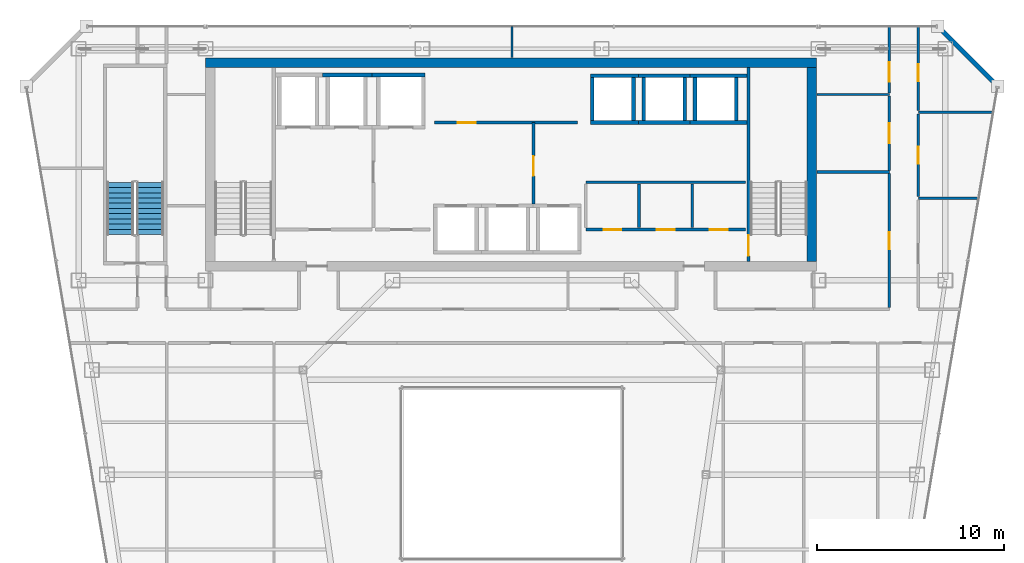
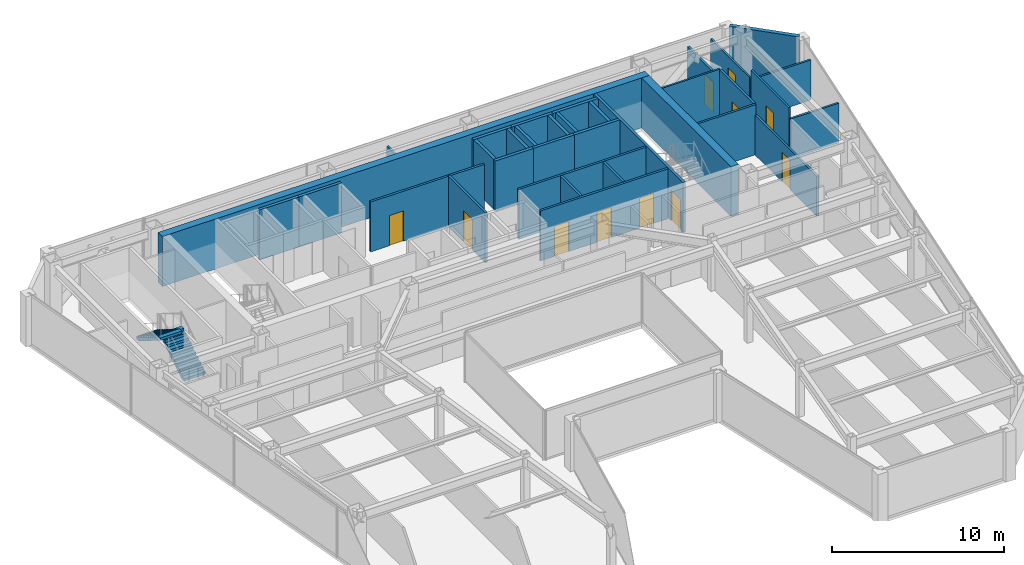
# One storey, part 32 of 36: 34 walls, 11 doors, 2 stair flights, 11 openings, 1 element without a shape of its own.
"""IFC4 building model written with IfcOpenShell, lengths in metres."""

from ifc_helpers import new_model, si_unit, direction, frame, frame_2d, origin, place, context, subcontext, project, spatial, polyline, rectangle, outline, extrude, material, layer, layer_set, type_object, element, fill, aggregate, save


model = new_model("IFC4")

# Units and contexts
model_context = context("Model", 3, precision=1e-05, world=origin(), true_north=direction((0.0, 1.0)))
body_context = subcontext(model_context, "Body", "Model", "MODEL_VIEW")
ifc_project = project(units=[si_unit("LENGTHUNIT", "METRE"), si_unit("AREAUNIT", "SQUARE_METRE"), si_unit("VOLUMEUNIT", "CUBIC_METRE"), si_unit("PLANEANGLEUNIT", "RADIAN"), si_unit("MASSUNIT", "GRAM", prefix="KILO")], contexts=[model_context])

# Site, building, storey
site_placement = place(None, origin())
site = spatial("IfcSite", under=ifc_project, at=site_placement, CompositionType="ELEMENT")
building_placement = place(site_placement, origin())
building = spatial("IfcBuilding", under=site, at=building_placement, Name="Saevonmaru Cultural Tower", CompositionType="ELEMENT")
storey_placement = place(building_placement, frame((0.0, 0.0, 205.60009765625)))
storey = spatial("IfcBuildingStorey", under=building, at=storey_placement, Name="L47", CompositionType="ELEMENT", Elevation=205.60009765625)

# Walls
ifc_material_1 = material(Name="Concrete C60/75", Category="concrete")
ifc_layer_1 = layer(ifc_material_1, 0.5, Name="Concrete C60/75")
ifc_layer_set_1 = layer_set([ifc_layer_1], Name="Concrete C60/75")
wall_type_1 = type_object("IfcWallType", Name="WL-CORE-500", PredefinedType="SHEAR", material=ifc_layer_set_1)
wall_1_placement = place(storey_placement, frame((13.60009765625, 54.050048828125, 0.0), z_axis=(0.0, 0.0, 1.0), x_axis=(1.0, 0.0, 0.0)))
element("IfcWall", 1, at=wall_1_placement, inside=storey, type_object=wall_type_1, Name="L47 Tower RC core shear wall N", PredefinedType="SHEAR", context=body_context, shape_type="SweptSolid", body=[
    extrude(rectangle(XDim=32.699951171875, YDim=0.5, at=frame_2d((16.35009765625, 0.0))), origin(), (0.0, 0.0, 1.0), 3.5498046875),
])
wall_2_placement = place(storey_placement, frame((46.050048828125, 43.39990234375, 0.0), z_axis=(0.0, 0.0, 1.0), x_axis=(0.0, 1.0, 0.0)))
element("IfcWall", 2, at=wall_2_placement, inside=storey, type_object=wall_type_1, Name="L47 Tower RC core shear wall E", PredefinedType="SHEAR", context=body_context, shape_type="SweptSolid", body=[
    extrude(rectangle(XDim=10.400146484375, YDim=0.5, at=frame_2d((5.2001953125, 0.0))), origin(), (0.0, 0.0, 1.0), 3.5498046875),
])

# Wall, opening, door
ifc_material_2 = material(Name="Gypsum Fireboard Partition", Category="gypsum")
ifc_layer_2 = layer(ifc_material_2, 0.14990234375, Name="Gypsum Fireboard Partition")
ifc_layer_set_2 = layer_set([ifc_layer_2], Name="Gypsum Fireboard Partition")
wall_type_2 = type_object("IfcWallType", Name="WL-CORE-PART-150", PredefinedType="PARTITIONING", material=ifc_layer_set_2)
wall_3_placement = place(storey_placement, frame((31.14990234375, 46.5, 0.0), z_axis=(0.0, 0.0, 1.0), x_axis=(0.0, 1.0, 0.0)))
wall_3 = element("IfcWall", 3, at=wall_3_placement, inside=storey, type_object=wall_type_2, Name="L47 Lift Zone Baffle 1", PredefinedType="PARTITIONING", context=body_context, shape_type="SweptSolid", body=[
    extrude(rectangle(XDim=4.35009765625, YDim=0.14990234375, at=frame_2d((2.175048828125, 0.0))), origin(), (0.0, 0.0, 1.0), 3.5498046875),
])
opening_1_placement = place(wall_3_placement, frame((1.5, 0.0, 0.0)))
opening_1 = element("IfcOpeningElement", 4, at=opening_1_placement, cuts=wall_3, Name="Opening ID-1", PredefinedType="OPENING", context=body_context, shape_type="SweptSolid", body=[
    extrude(rectangle(XDim=1.050048828125, YDim=2.14990234375, at=frame_2d((0.52490234375, 1.074951171875))), frame((0.0, 0.0849609375, 0.0), z_axis=(0.0, -1.0, 0.0), x_axis=(1.0, 0.0, 0.0)), (0.0, 0.0, 1.0), 0.169921875),
])
ifc_material_3 = material(Name="Satin Bronze Anodised Aluminium", Category="aluminium")
door_type_1 = type_object("IfcDoorType", Name="DR-INT-1050", OperationType="SINGLE_SWING_LEFT", PredefinedType="DOOR", material=ifc_material_3)
door_1_placement = place(opening_1_placement, origin())
door_1 = element("IfcDoor", 5, at=door_1_placement, inside=storey, type_object=door_type_1, Name="L47 West-Mid Lobby Portal", OperationType="SINGLE_SWING_LEFT", OverallHeight=2.14990234375, OverallWidth=1.050048828125, PredefinedType="DOOR", context=body_context, shape_type="SweptSolid", body=[
    extrude(rectangle(XDim=1.050048828125, YDim=2.14990234375, at=frame_2d((0.52490234375, 1.074951171875))), frame((0.0, 0.02490234375, 0.0), z_axis=(0.0, -1.0, 0.0), x_axis=(1.0, 0.0, 0.0)), (0.0, 0.0, 1.0), 0.050048828125),
])
fill(opening_1, door_1)

# Wall, openings, doors
wall_4_placement = place(storey_placement, frame((33.949951171875, 45.1201171875, 0.0), z_axis=(0.0, 0.0, 1.0), x_axis=(1.0, 0.0, 0.0)))
wall_4 = element("IfcWall", 6, at=wall_4_placement, inside=storey, type_object=wall_type_2, Name="L47 Core Utility South Wall", PredefinedType="PARTITIONING", context=body_context, shape_type="SweptSolid", body=[
    extrude(rectangle(XDim=8.550048828125, YDim=0.14990234375, at=frame_2d((4.27490234375, 0.0))), origin(), (0.0, 0.0, 1.0), 3.5498046875),
])
opening_2_placement = place(wall_4_placement, frame((0.949951171875, 0.0, 0.0)))
opening_2 = element("IfcOpeningElement", 7, at=opening_2_placement, cuts=wall_4, Name="Opening FD-4", PredefinedType="OPENING", context=body_context, shape_type="SweptSolid", body=[
    extrude(rectangle(XDim=0.949951171875, YDim=2.14990234375, at=frame_2d((0.47509765625, 1.074951171875))), frame((0.0, 0.0849609375, 0.0), z_axis=(0.0, -1.0, 0.0), x_axis=(1.0, 0.0, 0.0)), (0.0, 0.0, 1.0), 0.169921875),
])
opening_3_placement = place(wall_4_placement, frame((3.800048828125, 0.0, 0.0)))
opening_3 = element("IfcOpeningElement", 8, at=opening_3_placement, cuts=wall_4, Name="Opening FD-4", PredefinedType="OPENING", context=body_context, shape_type="SweptSolid", body=[
    extrude(rectangle(XDim=0.949951171875, YDim=2.14990234375, at=frame_2d((0.47509765625, 1.074951171875))), frame((0.0, 0.0849609375, 0.0), z_axis=(0.0, -1.0, 0.0), x_axis=(1.0, 0.0, 0.0)), (0.0, 0.0, 1.0), 0.169921875),
])
opening_4_placement = place(wall_4_placement, frame((6.64990234375, 0.0, 0.0)))
opening_4 = element("IfcOpeningElement", 9, at=opening_4_placement, cuts=wall_4, Name="Opening FD-4", PredefinedType="OPENING", context=body_context, shape_type="SweptSolid", body=[
    extrude(rectangle(XDim=0.949951171875, YDim=2.14990234375, at=frame_2d((0.47509765625, 1.074951171875))), frame((0.0, 0.0849609375, 0.0), z_axis=(0.0, -1.0, 0.0), x_axis=(1.0, 0.0, 0.0)), (0.0, 0.0, 1.0), 0.169921875),
])
door_type_2 = type_object("IfcDoorType", Name="DR-FD60-950", OperationType="SINGLE_SWING_LEFT", PredefinedType="DOOR", material=ifc_material_3)
door_2_placement = place(opening_2_placement, origin())
door_2 = element("IfcDoor", 10, at=door_2_placement, inside=storey, type_object=door_type_2, Name="L47 Meter Plant Door", OperationType="SINGLE_SWING_LEFT", OverallHeight=2.14990234375, OverallWidth=0.949951171875, PredefinedType="DOOR", context=body_context, shape_type="SweptSolid", body=[
    extrude(rectangle(XDim=0.949951171875, YDim=2.14990234375, at=frame_2d((0.47509765625, 1.074951171875))), frame((0.0, 0.02490234375, 0.0), z_axis=(0.0, -1.0, 0.0), x_axis=(1.0, 0.0, 0.0)), (0.0, 0.0, 1.0), 0.050048828125),
])
fill(opening_2, door_2)
door_3_placement = place(opening_3_placement, origin())
door_3 = element("IfcDoor", 11, at=door_3_placement, inside=storey, type_object=door_type_2, Name="L47 AV Rack Plant Door", OperationType="SINGLE_SWING_LEFT", OverallHeight=2.14990234375, OverallWidth=0.949951171875, PredefinedType="DOOR", context=body_context, shape_type="SweptSolid", body=[
    extrude(rectangle(XDim=0.949951171875, YDim=2.14990234375, at=frame_2d((0.47509765625, 1.074951171875))), frame((0.0, 0.02490234375, 0.0), z_axis=(0.0, -1.0, 0.0), x_axis=(1.0, 0.0, 0.0)), (0.0, 0.0, 1.0), 0.050048828125),
])
fill(opening_3, door_3)
door_4_placement = place(opening_4_placement, origin())
door_4 = element("IfcDoor", 12, at=door_4_placement, inside=storey, type_object=door_type_2, Name="L47 Archive Supply Storage Door", OperationType="SINGLE_SWING_LEFT", OverallHeight=2.14990234375, OverallWidth=0.949951171875, PredefinedType="DOOR", context=body_context, shape_type="SweptSolid", body=[
    extrude(rectangle(XDim=0.949951171875, YDim=2.14990234375, at=frame_2d((0.47509765625, 1.074951171875))), frame((0.0, 0.02490234375, 0.0), z_axis=(0.0, -1.0, 0.0), x_axis=(1.0, 0.0, 0.0)), (0.0, 0.0, 1.0), 0.050048828125),
])
fill(opening_4, door_4)

# Walls
wall_5_placement = place(storey_placement, frame((33.949951171875, 47.64990234375, 0.0), z_axis=(0.0, 0.0, 1.0), x_axis=(1.0, 0.0, 0.0)))
element("IfcWall", 13, at=wall_5_placement, inside=storey, type_object=wall_type_2, Name="L47 Core Utility North Wall", PredefinedType="PARTITIONING", context=body_context, shape_type="SweptSolid", body=[
    extrude(rectangle(XDim=8.550048828125, YDim=0.14990234375, at=frame_2d((4.27490234375, 0.0))), origin(), (0.0, 0.0, 1.0), 3.5498046875),
])
for number, where, z_axis, x_axis, name in (
    (14, (36.800048828125, 45.219970703125, 0.0), (0.0, 0.0, 1.0), (0.0, 1.0, 0.0), "L47 Utility Divider 1"),
    (15, (39.64990234375, 45.219970703125, 0.0), (0.0, 0.0, 1.0), (0.0, 1.0, 0.0), "L47 Utility Divider 2"),
):
    element("IfcWall", number, at=place(storey_placement, frame(where, z_axis=z_axis, x_axis=x_axis)), inside=storey, type_object=wall_type_2, Name=name, PredefinedType="PARTITIONING", context=body_context, shape_type="SweptSolid", body=[
        extrude(rectangle(XDim=2.330078125, YDim=0.14990234375, at=frame_2d((1.1650390625, 0.0))), origin(), (0.0, 0.0, 1.0), 3.5498046875),
    ])

# Wall, opening, door
wall_6_placement = place(storey_placement, frame((25.85009765625, 50.85009765625, 0.0), z_axis=(0.0, 0.0, 1.0), x_axis=(1.0, 0.0, 0.0)))
wall_6 = element("IfcWall", 16, at=wall_6_placement, inside=storey, type_object=wall_type_2, Name="L47 Reclaimed Core Room South Wall", PredefinedType="PARTITIONING", context=body_context, shape_type="SweptSolid", body=[
    extrude(rectangle(XDim=7.64990234375, YDim=0.14990234375, at=frame_2d((3.824951171875, 0.0))), origin(), (0.0, 0.0, 1.0), 3.5498046875),
])
opening_5_placement = place(wall_6_placement, frame((1.25, 0.0, 0.0)))
opening_5 = element("IfcOpeningElement", 17, at=opening_5_placement, cuts=wall_6, Name="Opening FD-4", PredefinedType="OPENING", context=body_context, shape_type="SweptSolid", body=[
    extrude(rectangle(XDim=0.949951171875, YDim=2.14990234375, at=frame_2d((0.47509765625, 1.074951171875))), frame((0.0, 0.0849609375, 0.0), z_axis=(0.0, -1.0, 0.0), x_axis=(1.0, 0.0, 0.0)), (0.0, 0.0, 1.0), 0.169921875),
])
door_5_placement = place(opening_5_placement, origin())
door_5 = element("IfcDoor", 18, at=door_5_placement, inside=storey, type_object=door_type_2, Name="L47 Reclaimed Archive Vault Door", OperationType="SINGLE_SWING_LEFT", OverallHeight=2.14990234375, OverallWidth=0.949951171875, PredefinedType="DOOR", context=body_context, shape_type="SweptSolid", body=[
    extrude(rectangle(XDim=0.949951171875, YDim=2.14990234375, at=frame_2d((0.47509765625, 1.074951171875))), frame((0.0, 0.02490234375, 0.0), z_axis=(0.0, -1.0, 0.0), x_axis=(1.0, 0.0, 0.0)), (0.0, 0.0, 1.0), 0.050048828125),
])
fill(opening_5, door_5)

# Wall
ifc_material_4 = material(Name="Granite-Clad Precast Concrete C40/50", Category="masonry")
ifc_layer_3 = layer(ifc_material_4, 0.260009765625, Name="Granite-Clad Precast Concrete C40/50")
ifc_layer_set_3 = layer_set([ifc_layer_3], Name="Granite-Clad Precast Concrete C40/50")
wall_type_3 = type_object("IfcWallType", Name="WL-EXT-SPANDREL-260", PredefinedType="STANDARD", material=ifc_layer_set_3)
wall_7_placement = place(storey_placement, frame((55.886962890625, 52.9130859375, 0.0), z_axis=(0.0, 0.0, 1.0), x_axis=(-0.707106781187, 0.707106781187, 0.0)))
element("IfcWall", 19, at=wall_7_placement, inside=storey, type_object=wall_type_3, Name="L47 Chamfer Corner Spandrel Wall E9", PredefinedType="STANDARD", context=body_context, shape_type="SweptSolid", body=[
    extrude(rectangle(XDim=4.205810546875, YDim=0.260009765625, at=frame_2d((2.10302734375, 0.0))), origin(), (0.0, 0.0, 1.0), 3.5498046875),
])

# Wall, opening, door
ifc_layer_4 = layer(ifc_material_2, 0.14990234375, Name="Gypsum Fireboard Partition")
ifc_layer_set_4 = layer_set([ifc_layer_4], Name="Gypsum Fireboard Partition")
wall_type_4 = type_object("IfcWallType", Name="WL-PART-FIRE-150", PredefinedType="PARTITIONING", material=ifc_layer_set_4)
wall_8_placement = place(storey_placement, frame((50.199951171875, 48.2900390625, 0.0), z_axis=(0.0, 0.0, 1.0), x_axis=(0.0, 1.0, 0.0)))
wall_8 = element("IfcWall", 20, at=wall_8_placement, inside=storey, type_object=wall_type_4, Name="L47 Permanent Exhibition Gallery Corridor Wall", PredefinedType="PARTITIONING", context=body_context, shape_type="SweptSolid", body=[
    extrude(rectangle(XDim=3.97998046875, YDim=0.14990234375, at=frame_2d((1.989990234375, 0.0))), origin(), (0.0, 0.0, 1.0), 3.5498046875),
])
opening_6_placement = place(wall_8_placement, frame((1.465087890625, 0.0, 0.0)))
opening_6 = element("IfcOpeningElement", 21, at=opening_6_placement, cuts=wall_8, Name="Opening ID-1", PredefinedType="OPENING", context=body_context, shape_type="SweptSolid", body=[
    extrude(rectangle(XDim=1.050048828125, YDim=2.14990234375, at=frame_2d((0.52490234375, 1.074951171875))), frame((0.0, 0.0849609375, 0.0), z_axis=(0.0, -1.0, 0.0), x_axis=(1.0, 0.0, 0.0)), (0.0, 0.0, 1.0), 0.169921875),
])
door_6_placement = place(opening_6_placement, origin())
door_6 = element("IfcDoor", 22, at=door_6_placement, inside=storey, type_object=door_type_1, Name="L47 Permanent Exhibition Gallery Door", OperationType="SINGLE_SWING_LEFT", OverallHeight=2.14990234375, OverallWidth=1.050048828125, PredefinedType="DOOR", context=body_context, shape_type="SweptSolid", body=[
    extrude(rectangle(XDim=1.050048828125, YDim=2.14990234375, at=frame_2d((0.52490234375, 1.074951171875))), frame((0.0, 0.02490234375, 0.0), z_axis=(0.0, -1.0, 0.0), x_axis=(1.0, 0.0, 0.0)), (0.0, 0.0, 1.0), 0.050048828125),
])
fill(opening_6, door_6)

wall_9_placement = place(storey_placement, frame((50.199951171875, 52.429931640625, 0.0), z_axis=(0.0, 0.0, 1.0), x_axis=(0.0, 1.0, 0.0)))
wall_9 = element("IfcWall", 23, at=wall_9_placement, inside=storey, type_object=wall_type_4, Name="L47 Contemporary Photography Gallery Corridor Wall", PredefinedType="PARTITIONING", context=body_context, shape_type="SweptSolid", body=[
    extrude(rectangle(XDim=3.565185546875, YDim=0.14990234375, at=frame_2d((1.78271484375, 0.0))), origin(), (0.0, 0.0, 1.0), 2.934814453125),
])
opening_7_placement = place(wall_9_placement, frame((0.596923828125, 0.0, 0.0)))
opening_7 = element("IfcOpeningElement", 24, at=opening_7_placement, cuts=wall_9, Name="Opening ID-1", PredefinedType="OPENING", context=body_context, shape_type="SweptSolid", body=[
    extrude(rectangle(XDim=1.050048828125, YDim=2.14990234375, at=frame_2d((0.52490234375, 1.074951171875))), frame((0.0, 0.0849609375, 0.0), z_axis=(0.0, -1.0, 0.0), x_axis=(1.0, 0.0, 0.0)), (0.0, 0.0, 1.0), 0.169921875),
])
door_7_placement = place(opening_7_placement, origin())
door_7 = element("IfcDoor", 25, at=door_7_placement, inside=storey, type_object=door_type_1, Name="L47 Contemporary Photography Gallery Door", OperationType="SINGLE_SWING_RIGHT", OverallHeight=2.14990234375, OverallWidth=1.050048828125, PredefinedType="DOOR", context=body_context, shape_type="SweptSolid", body=[
    extrude(rectangle(XDim=1.050048828125, YDim=2.14990234375, at=frame_2d((0.52490234375, 1.074951171875))), frame((0.0, 0.02490234375, 0.0), z_axis=(0.0, -1.0, 0.0), x_axis=(1.0, 0.0, 0.0)), (0.0, 0.0, 1.0), 0.050048828125),
])
fill(opening_7, door_7)

# Walls
ifc_layer_5 = layer(ifc_material_2, 0.1201171875, Name="Gypsum Fireboard Partition")
ifc_layer_set_5 = layer_set([ifc_layer_5], Name="Gypsum Fireboard Partition")
wall_type_5 = type_object("IfcWallType", Name="WL-PART-GYP-120", PredefinedType="PARTITIONING", material=ifc_layer_set_5)
wall_10_placement = place(storey_placement, frame((46.320068359375, 52.35009765625, 0.0), z_axis=(0.0, 0.0, 1.0), x_axis=(1.0, 0.0, 0.0)))
element("IfcWall", 26, at=wall_10_placement, inside=storey, type_object=wall_type_5, Name="L47 North-East Panorama South Wall", PredefinedType="PARTITIONING", context=body_context, shape_type="SweptSolid", body=[
    extrude(rectangle(XDim=3.8798828125, YDim=0.1201171875, at=frame_2d((1.93994140625, 0.0))), origin(), (0.0, 0.0, 1.0), 3.5498046875),
])
wall_11_placement = place(storey_placement, frame((30.0, 54.320068359375, 0.0), z_axis=(0.0, 0.0, 1.0), x_axis=(0.0, 1.0, 0.0)))
element("IfcWall", 27, at=wall_11_placement, inside=storey, type_object=wall_type_5, Name="L47 North Panorama Center Split", PredefinedType="PARTITIONING", context=body_context, shape_type="SweptSolid", body=[
    extrude(rectangle(XDim=1.675048828125, YDim=0.1201171875, at=frame_2d((0.83740234375, 0.0))), origin(), (0.0, 0.0, 1.0), 2.934814453125),
])

# Wall, opening, door
wall_12_placement = place(storey_placement, frame((51.75, 46.887451171875, 0.0), z_axis=(0.0, 0.0, 1.0), x_axis=(0.0, 1.0, 0.0)))
wall_12 = element("IfcWall", 28, at=wall_12_placement, inside=storey, type_object=wall_type_5, Name="L47 Urban Design Meeting Room Corridor Wall", PredefinedType="PARTITIONING", context=body_context, shape_type="SweptSolid", body=[
    extrude(rectangle(XDim=4.425048828125, YDim=0.1201171875, at=frame_2d((2.21240234375, 0.0))), origin(), (0.0, 0.0, 1.0), 3.5498046875),
])
opening_8_placement = place(wall_12_placement, frame((1.761962890625, 0.0, 0.0)))
opening_8 = element("IfcOpeningElement", 29, at=opening_8_placement, cuts=wall_12, Name="Opening ID-2", PredefinedType="OPENING", context=body_context, shape_type="SweptSolid", body=[
    extrude(rectangle(XDim=0.89990234375, YDim=2.10009765625, at=frame_2d((0.449951171875, 1.050048828125))), frame((0.0, 0.070068359375, 0.0), z_axis=(0.0, -1.0, 0.0), x_axis=(1.0, 0.0, 0.0)), (0.0, 0.0, 1.0), 0.14013671875),
])
ifc_material_5 = material(Name="Acoustic Stained Oak Timber", Category="wood")
door_type_3 = type_object("IfcDoorType", Name="DR-INT-900", OperationType="SINGLE_SWING_RIGHT", PredefinedType="DOOR", material=ifc_material_5)
door_8_placement = place(opening_8_placement, origin())
door_8 = element("IfcDoor", 30, at=door_8_placement, inside=storey, type_object=door_type_3, Name="L47 Urban Design Meeting Room Door", OperationType="SINGLE_SWING_RIGHT", OverallHeight=2.10009765625, OverallWidth=0.89990234375, PredefinedType="DOOR", context=body_context, shape_type="SweptSolid", body=[
    extrude(rectangle(XDim=0.89990234375, YDim=2.10009765625, at=frame_2d((0.449951171875, 1.050048828125))), frame((0.0, 0.02490234375, 0.0), z_axis=(0.0, -1.0, 0.0), x_axis=(1.0, 0.0, 0.0)), (0.0, 0.0, 1.0), 0.050048828125),
])
fill(opening_8, door_8)

wall_13_placement = place(storey_placement, frame((51.75, 51.487548828125, 0.0), z_axis=(0.0, 0.0, 1.0), x_axis=(0.0, 1.0, 0.0)))
wall_13 = element("IfcWall", 31, at=wall_13_placement, inside=storey, type_object=wall_type_5, Name="L47 Calligraphy Teaching Studio Corridor Wall", PredefinedType="PARTITIONING", context=body_context, shape_type="SweptSolid", body=[
    extrude(rectangle(XDim=4.507568359375, YDim=0.1201171875, at=frame_2d((2.25390625, 0.0))), origin(), (0.0, 0.0, 1.0), 2.934814453125),
])
opening_9_placement = place(wall_13_placement, frame((1.583984375, 0.0, 0.0)))
opening_9 = element("IfcOpeningElement", 32, at=opening_9_placement, cuts=wall_13, Name="Opening ID-2", PredefinedType="OPENING", context=body_context, shape_type="SweptSolid", body=[
    extrude(rectangle(XDim=0.89990234375, YDim=2.10009765625, at=frame_2d((0.449951171875, 1.050048828125))), frame((0.0, 0.070068359375, 0.0), z_axis=(0.0, -1.0, 0.0), x_axis=(1.0, 0.0, 0.0)), (0.0, 0.0, 1.0), 0.14013671875),
])
door_9_placement = place(opening_9_placement, origin())
door_9 = element("IfcDoor", 33, at=door_9_placement, inside=storey, type_object=door_type_3, Name="L47 Calligraphy Teaching Studio Door", OperationType="SINGLE_SWING_LEFT", OverallHeight=2.10009765625, OverallWidth=0.89990234375, PredefinedType="DOOR", context=body_context, shape_type="SweptSolid", body=[
    extrude(rectangle(XDim=0.89990234375, YDim=2.10009765625, at=frame_2d((0.449951171875, 1.050048828125))), frame((0.0, 0.02490234375, 0.0), z_axis=(0.0, -1.0, 0.0), x_axis=(1.0, 0.0, 0.0)), (0.0, 0.0, 1.0), 0.050048828125),
])
fill(opening_9, door_9)

# Walls
ifc_layer_6 = layer(ifc_material_2, 0.135009765625, Name="Gypsum Fireboard Partition")
ifc_layer_set_6 = layer_set([ifc_layer_6], Name="Gypsum Fireboard Partition")
wall_type_6 = type_object("IfcWallType", Name="WL-PART-GYP-135", PredefinedType="PARTITIONING", material=ifc_layer_set_6)
wall_14_placement = place(storey_placement, frame((51.75, 46.800048828125, 0.0), z_axis=(0.0, 0.0, 1.0), x_axis=(1.0, 0.0, 0.0)))
element("IfcWall", 34, at=wall_14_placement, inside=storey, type_object=wall_type_6, Name="L47 NE Studio Divider 1", PredefinedType="PARTITIONING", context=body_context, shape_type="SweptSolid", body=[
    extrude(rectangle(XDim=3.229248046875, YDim=0.135009765625, at=frame_2d((1.61474609375, 0.0))), origin(), (0.0, 0.0, 1.0), 2.8349609375),
])
wall_15_placement = place(storey_placement, frame((51.75, 51.39990234375, 0.0), z_axis=(0.0, 0.0, 1.0), x_axis=(1.0, 0.0, 0.0)))
element("IfcWall", 35, at=wall_15_placement, inside=storey, type_object=wall_type_6, Name="L47 NE Studio Divider 2", PredefinedType="PARTITIONING", context=body_context, shape_type="SweptSolid", body=[
    extrude(rectangle(XDim=4.0078125, YDim=0.135009765625, at=frame_2d((2.00390625, 0.0))), origin(), (0.0, 0.0, 1.0), 2.8349609375),
])
ifc_layer_7 = layer(ifc_material_2, 0.139892578125, Name="Gypsum Fireboard Partition")
ifc_layer_set_7 = layer_set([ifc_layer_7], Name="Gypsum Fireboard Partition")
wall_type_7 = type_object("IfcWallType", Name="WL-PART-WET-140", PredefinedType="PARTITIONING", material=ifc_layer_set_7)
wall_16_placement = place(storey_placement, frame((46.320068359375, 48.199951171875, 0.0), z_axis=(0.0, 0.0, 1.0), x_axis=(1.0, 0.0, 0.0)))
element("IfcWall", 36, at=wall_16_placement, inside=storey, type_object=wall_type_7, Name="L47 Washroom North Wall", PredefinedType="PARTITIONING", context=body_context, shape_type="SweptSolid", body=[
    extrude(rectangle(XDim=3.8798828125, YDim=0.139892578125, at=frame_2d((1.93994140625, 0.0))), origin(), (0.0, 0.0, 1.0), 3.5498046875),
])

# Wall, opening, door
wall_17_placement = place(storey_placement, frame((50.199951171875, 40.93994140625, 0.0), z_axis=(0.0, 0.0, 1.0), x_axis=(0.0, 1.0, 0.0)))
wall_17 = element("IfcWall", 37, at=wall_17_placement, inside=storey, type_object=wall_type_7, Name="L47 Washroom Corridor Wall", PredefinedType="PARTITIONING", context=body_context, shape_type="SweptSolid", body=[
    extrude(rectangle(XDim=7.170166015625, YDim=0.139892578125, at=frame_2d((3.5849609375, 0.0))), origin(), (0.0, 0.0, 1.0), 2.8349609375),
])
opening_10_placement = place(wall_17_placement, frame((3.135009765625, 0.0, 0.0)))
opening_10 = element("IfcOpeningElement", 38, at=opening_10_placement, cuts=wall_17, Name="Opening ID-2", PredefinedType="OPENING", context=body_context, shape_type="SweptSolid", body=[
    extrude(rectangle(XDim=0.89990234375, YDim=2.10009765625, at=frame_2d((0.449951171875, 1.050048828125))), frame((0.0, 0.080078125, 0.0), z_axis=(0.0, -1.0, 0.0), x_axis=(1.0, 0.0, 0.0)), (0.0, 0.0, 1.0), 0.159912109375),
])
door_10_placement = place(opening_10_placement, origin())
door_10 = element("IfcDoor", 39, at=door_10_placement, inside=storey, type_object=door_type_3, Name="L47 Public Accessible Washrooms Door", OperationType="SINGLE_SWING_RIGHT", OverallHeight=2.10009765625, OverallWidth=0.89990234375, PredefinedType="DOOR", context=body_context, shape_type="SweptSolid", body=[
    extrude(rectangle(XDim=0.89990234375, YDim=2.10009765625, at=frame_2d((0.449951171875, 1.050048828125))), frame((0.0, 0.02490234375, 0.0), z_axis=(0.0, -1.0, 0.0), x_axis=(1.0, 0.0, 0.0)), (0.0, 0.0, 1.0), 0.050048828125),
])
fill(opening_10, door_10)

# Walls
ifc_material_6 = material(Name="Concrete C40/50", Category="concrete")
ifc_layer_8 = layer(ifc_material_6, 0.199951171875, Name="Concrete C40/50")
ifc_layer_set_8 = layer_set([ifc_layer_8], Name="Concrete C40/50")
wall_type_8 = type_object("IfcWallType", Name="WL-SHAFT-200", PredefinedType="SHEAR", material=ifc_layer_set_8)
wall_18_placement = place(storey_placement, frame((19.85009765625, 53.39990234375, 0.0), z_axis=(0.0, 0.0, 1.0), x_axis=(1.0, 0.0, 0.0)))
element("IfcWall", 40, at=wall_18_placement, inside=storey, type_object=wall_type_8, Name="L47 Lift FFL-2 Hoistway Wall N", PredefinedType="SHEAR", context=body_context, shape_type="SweptSolid", body=[
    extrude(rectangle(XDim=2.64990234375, YDim=0.199951171875, at=frame_2d((1.324951171875, 0.0))), origin(), (0.0, 0.0, 1.0), 3.5498046875),
])
wall_19_placement = place(storey_placement, frame((22.5, 53.39990234375, 0.0), z_axis=(0.0, 0.0, 1.0), x_axis=(1.0, 0.0, 0.0)))
element("IfcWall", 41, at=wall_19_placement, inside=storey, type_object=wall_type_8, Name="L47 Lift GL-1 Hoistway Wall N", PredefinedType="SHEAR", context=body_context, shape_type="SweptSolid", body=[
    extrude(rectangle(XDim=2.85009765625, YDim=0.199951171875, at=frame_2d((1.425048828125, 0.0))), origin(), (0.0, 0.0, 1.0), 3.5498046875),
])
for number, where, z_axis, x_axis, name in (
    (42, (34.199951171875, 50.85009765625, 0.0), (0.0, 0.0, 1.0), (1.0, 0.0, 0.0), "L47 Lift PL-H1 Hoistway Wall S"),
    (43, (34.199951171875, 53.35009765625, 0.0), (0.0, 0.0, 1.0), (1.0, 0.0, 0.0), "L47 Lift PL-H1 Hoistway Wall N"),
):
    element("IfcWall", number, at=place(storey_placement, frame(where, z_axis=z_axis, x_axis=x_axis)), inside=storey, type_object=wall_type_8, Name=name, PredefinedType="SHEAR", context=body_context, shape_type="SweptSolid", body=[
        extrude(rectangle(XDim=2.574951171875, YDim=0.199951171875, at=frame_2d((1.28759765625, 0.0))), origin(), (0.0, 0.0, 1.0), 3.5498046875),
    ])
for number, where, z_axis, x_axis, name in (
    (44, (34.300048828125, 50.949951171875, 0.0), (0.0, 0.0, 1.0), (0.0, 1.0, 0.0), "L47 Lift PL-H1 Hoistway Wall W"),
    (45, (36.5, 50.949951171875, 0.0), (0.0, 0.0, 1.0), (0.0, 1.0, 0.0), "L47 Lift PL-H1 Hoistway Wall E"),
):
    element("IfcWall", number, at=place(storey_placement, frame(where, z_axis=z_axis, x_axis=x_axis)), inside=storey, type_object=wall_type_8, Name=name, PredefinedType="SHEAR", context=body_context, shape_type="SweptSolid", body=[
        extrude(rectangle(XDim=2.300048828125, YDim=0.199951171875, at=frame_2d((1.14990234375, 0.0))), origin(), (0.0, 0.0, 1.0), 3.5498046875),
    ])
for number, where, z_axis, x_axis, name in (
    (46, (36.77490234375, 50.85009765625, 0.0), (0.0, 0.0, 1.0), (1.0, 0.0, 0.0), "L47 Lift PL-H2 Hoistway Wall S"),
    (47, (36.77490234375, 53.35009765625, 0.0), (0.0, 0.0, 1.0), (1.0, 0.0, 0.0), "L47 Lift PL-H2 Hoistway Wall N"),
):
    element("IfcWall", number, at=place(storey_placement, frame(where, z_axis=z_axis, x_axis=x_axis)), inside=storey, type_object=wall_type_8, Name=name, PredefinedType="SHEAR", context=body_context, shape_type="SweptSolid", body=[
        extrude(rectangle(XDim=2.75, YDim=0.199951171875, at=frame_2d((1.375, 0.0))), origin(), (0.0, 0.0, 1.0), 3.5498046875),
    ])
for number, where, z_axis, x_axis, name in (
    (48, (37.050048828125, 50.949951171875, 0.0), (0.0, 0.0, 1.0), (0.0, 1.0, 0.0), "L47 Lift PL-H2 Hoistway Wall W"),
    (49, (39.25, 50.949951171875, 0.0), (0.0, 0.0, 1.0), (0.0, 1.0, 0.0), "L47 Lift PL-H2 Hoistway Wall E"),
):
    element("IfcWall", number, at=place(storey_placement, frame(where, z_axis=z_axis, x_axis=x_axis)), inside=storey, type_object=wall_type_8, Name=name, PredefinedType="SHEAR", context=body_context, shape_type="SweptSolid", body=[
        extrude(rectangle(XDim=2.300048828125, YDim=0.199951171875, at=frame_2d((1.14990234375, 0.0))), origin(), (0.0, 0.0, 1.0), 3.5498046875),
    ])
for number, where, z_axis, x_axis, name in (
    (50, (39.52490234375, 50.85009765625, 0.0), (0.0, 0.0, 1.0), (1.0, 0.0, 0.0), "L47 Lift PL-H3 Hoistway Wall S"),
    (51, (39.52490234375, 53.35009765625, 0.0), (0.0, 0.0, 1.0), (1.0, 0.0, 0.0), "L47 Lift PL-H3 Hoistway Wall N"),
):
    element("IfcWall", number, at=place(storey_placement, frame(where, z_axis=z_axis, x_axis=x_axis)), inside=storey, type_object=wall_type_8, Name=name, PredefinedType="SHEAR", context=body_context, shape_type="SweptSolid", body=[
        extrude(rectangle(XDim=3.045166015625, YDim=0.199951171875, at=frame_2d((1.5224609375, 0.0))), origin(), (0.0, 0.0, 1.0), 3.5498046875),
    ])
for number, where, z_axis, x_axis, name in (
    (52, (39.800048828125, 50.949951171875, 0.0), (0.0, 0.0, 1.0), (0.0, 1.0, 0.0), "L47 Lift PL-H3 Hoistway Wall W"),
    (53, (42.0, 50.949951171875, 0.0), (0.0, 0.0, 1.0), (0.0, 1.0, 0.0), "L47 Lift PL-H3 Hoistway Wall E"),
):
    element("IfcWall", number, at=place(storey_placement, frame(where, z_axis=z_axis, x_axis=x_axis)), inside=storey, type_object=wall_type_8, Name=name, PredefinedType="SHEAR", context=body_context, shape_type="SweptSolid", body=[
        extrude(rectangle(XDim=2.300048828125, YDim=0.199951171875, at=frame_2d((1.14990234375, 0.0))), origin(), (0.0, 0.0, 1.0), 3.5498046875),
    ])

# Wall, opening, door
ifc_layer_9 = layer(ifc_material_6, 0.179931640625, Name="Concrete C40/50")
ifc_layer_set_9 = layer_set([ifc_layer_9], Name="Concrete C40/50")
wall_type_9 = type_object("IfcWallType", Name="WL-STSHAFT-180", PredefinedType="SHEAR", material=ifc_layer_set_9)
wall_20_placement = place(storey_placement, frame((42.659912109375, 53.800048828125, 0.0), z_axis=(0.0, 0.0, 1.0), x_axis=(0.0, -1.0, 0.0)))
wall_20 = element("IfcWall", 54, at=wall_20_placement, inside=storey, type_object=wall_type_9, Name="L47 Stair ST-2 Structural Shaft Wall 1", PredefinedType="SHEAR", context=body_context, shape_type="SweptSolid", body=[
    extrude(rectangle(XDim=10.400146484375, YDim=0.179931640625, at=frame_2d((5.2001953125, 0.0))), origin(), (0.0, 0.0, 1.0), 3.5498046875),
])
opening_11_placement = place(wall_20_placement, frame((8.989990234375, 0.0, 0.0)))
opening_11 = element("IfcOpeningElement", 55, at=opening_11_placement, cuts=wall_20, Name="Opening FD-2", PredefinedType="OPENING", context=body_context, shape_type="SweptSolid", body=[
    extrude(rectangle(XDim=1.10009765625, YDim=2.14990234375, at=frame_2d((0.550048828125, 1.074951171875))), frame((0.0, 0.10009765625, 0.0), z_axis=(0.0, -1.0, 0.0), x_axis=(1.0, 0.0, 0.0)), (0.0, 0.0, 1.0), 0.199951171875),
])
door_type_4 = type_object("IfcDoorType", Name="DR-FD60-1100", OperationType="SINGLE_SWING_LEFT", PredefinedType="DOOR", material=ifc_material_3)
door_11_placement = place(opening_11_placement, origin())
door_11 = element("IfcDoor", 56, at=door_11_placement, inside=storey, type_object=door_type_4, Name="L47 Protected Stair ST-2 Fire Door", OperationType="SINGLE_SWING_LEFT", OverallHeight=2.14990234375, OverallWidth=1.10009765625, PredefinedType="DOOR", context=body_context, shape_type="SweptSolid", body=[
    extrude(rectangle(XDim=1.10009765625, YDim=2.14990234375, at=frame_2d((0.550048828125, 1.074951171875))), frame((0.0, 0.02490234375, 0.0), z_axis=(0.0, -1.0, 0.0), x_axis=(1.0, 0.0, 0.0)), (0.0, 0.0, 1.0), 0.050048828125),
])
fill(opening_11, door_11)

# Stair, stair flights
stair_type = type_object("IfcStairType", Name="STR-DOGLEG-RC", PredefinedType="HALF_TURN_STAIR", material=ifc_material_6)
stair_placement = place(storey_placement, origin())
stair = element("IfcStair", 57, at=stair_placement, inside=storey, type_object=stair_type, Name="L47 Protected exit stair ST-3", PredefinedType="HALF_TURN_STAIR")
ifc_material_7 = material(Name="Precast concrete C40/50", Category="concrete")
stair_flight_type = type_object("IfcStairFlightType", Name="STF-PRECAST-180", PredefinedType="STRAIGHT", material=ifc_material_7)
stair_flight_1_placement = place(storey_placement, frame((10.625, 44.85009765625, 0.0), z_axis=(0.0, 0.0, 1.0), x_axis=(0.0, 1.0, 0.0)))
stair_flight_1 = element("IfcStairFlight", 58, at=stair_flight_1_placement, type_object=stair_flight_type, Name="ST-3-L47 flight 1", NumberOfRisers=11, NumberOfTreads=10, PredefinedType="STRAIGHT", RiserHeight=0.172727273, TreadLength=0.28, context=body_context, shape_type="SweptSolid", body=[
    extrude(outline(polyline([(0.0, 0.0), (0.0, 0.172607421875), (0.280029296875, 0.172607421875), (0.280029296875, 0.345458984375), (0.56005859375, 0.345458984375), (0.56005859375, 0.51806640625), (0.840087890625, 0.51806640625), (0.840087890625, 0.69091796875), (1.1201171875, 0.69091796875), (1.1201171875, 0.863525390625), (1.39990234375, 0.863525390625), (1.39990234375, 1.036376953125), (1.679931640625, 1.036376953125), (1.679931640625, 1.208984375), (1.9599609375, 1.208984375), (1.9599609375, 1.3818359375), (2.239990234375, 1.3818359375), (2.239990234375, 1.554443359375), (2.52001953125, 1.554443359375), (2.52001953125, 1.727294921875), (2.800048828125, 1.727294921875), (2.800048828125, 1.89990234375), (2.800048828125, 1.551025390625), (0.285400390625, 0.0), (0.0, 0.0)])), frame((0.0, 0.72509765625, 0.0), z_axis=(0.0, -1.0, 0.0), x_axis=(1.0, 0.0, 0.0)), (0.0, 0.0, 1.0), 1.449951171875),
])
stair_flight_2_placement = place(storey_placement, frame((9.02490234375, 47.64990234375, 1.89990234375), z_axis=(0.0, 0.0, 1.0), x_axis=(0.0, -1.0, 0.0)))
stair_flight_2 = element("IfcStairFlight", 59, at=stair_flight_2_placement, type_object=stair_flight_type, Name="ST-3-L47 flight 2", NumberOfRisers=11, NumberOfTreads=10, PredefinedType="STRAIGHT", RiserHeight=0.172727273, TreadLength=0.28, context=body_context, shape_type="SweptSolid", body=[
    extrude(outline(polyline([(0.0, 0.0), (0.0, 0.172607421875), (0.280029296875, 0.172607421875), (0.280029296875, 0.345458984375), (0.56005859375, 0.345458984375), (0.56005859375, 0.51806640625), (0.840087890625, 0.51806640625), (0.840087890625, 0.69091796875), (1.1201171875, 0.69091796875), (1.1201171875, 0.863525390625), (1.39990234375, 0.863525390625), (1.39990234375, 1.036376953125), (1.679931640625, 1.036376953125), (1.679931640625, 1.208984375), (1.9599609375, 1.208984375), (1.9599609375, 1.3818359375), (2.239990234375, 1.3818359375), (2.239990234375, 1.554443359375), (2.52001953125, 1.554443359375), (2.52001953125, 1.727294921875), (2.800048828125, 1.727294921875), (2.800048828125, 1.89990234375), (2.800048828125, 1.551025390625), (0.285400390625, 0.0), (0.0, 0.0)])), frame((0.0, 0.72509765625, 0.0), z_axis=(0.0, -1.0, 0.0), x_axis=(1.0, 0.0, 0.0)), (0.0, 0.0, 1.0), 1.449951171875),
])
aggregate(stair, [stair_flight_1, stair_flight_2])

save(model, "model.ifc")
